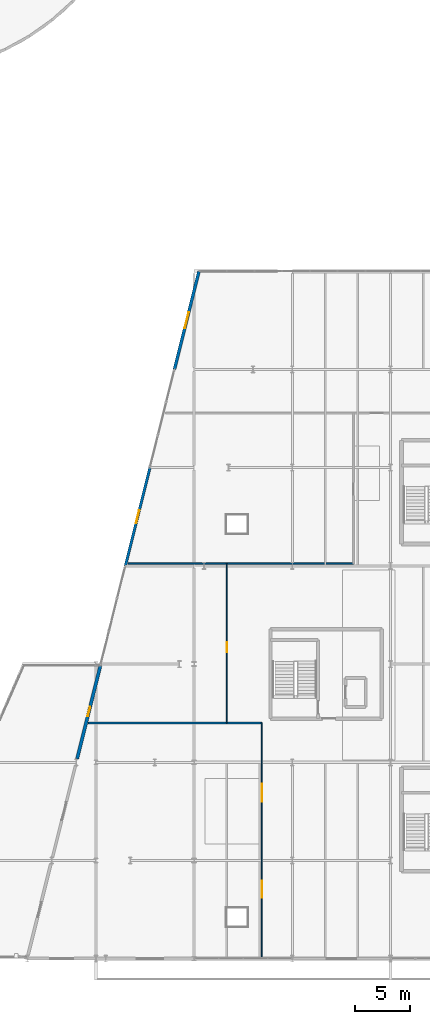
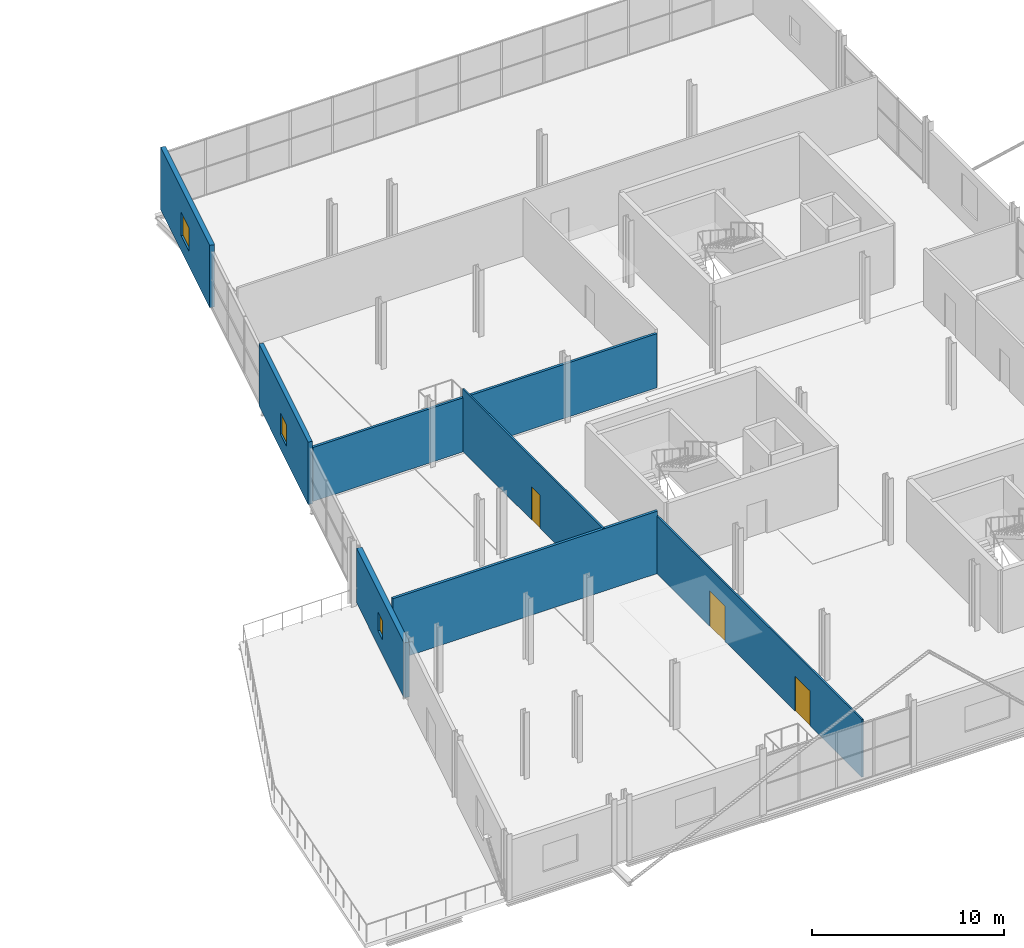
# One storey, part 53 of 59: 7 walls, 3 doors, 3 windows, 6 openings.
"""IFC4 building model written with IfcOpenShell, lengths in metres."""

from ifc_helpers import new_model, si_unit, direction, frame, frame_2d, origin, place, context, subcontext, project, spatial, rectangle, extrude, material, layer, layer_set, type_object, element, fill, save


model = new_model("IFC4")

# Units and contexts
model_context = context("Model", 3, precision=1e-05, world=origin(), true_north=direction((0.0, 1.0)))
body_context = subcontext(model_context, "Body", "Model", "MODEL_VIEW")
ifc_project = project(units=[si_unit("LENGTHUNIT", "METRE"), si_unit("AREAUNIT", "SQUARE_METRE"), si_unit("VOLUMEUNIT", "CUBIC_METRE"), si_unit("PLANEANGLEUNIT", "RADIAN"), si_unit("MASSUNIT", "GRAM", prefix="KILO")], contexts=[model_context])

# Site, building, storey
site_placement = place(None, origin())
site = spatial("IfcSite", under=ifc_project, at=site_placement, CompositionType="ELEMENT")
building_placement = place(site_placement, origin())
building = spatial("IfcBuilding", under=site, at=building_placement, Name="Deido Ridge Mobility Hub", CompositionType="ELEMENT")
storey_placement = place(building_placement, frame((0.0, 0.0, 21.0)))
storey = spatial("IfcBuildingStorey", under=building, at=storey_placement, Name="L05", CompositionType="ELEMENT", Elevation=21.0)

# Wall, opening, window
ifc_material_1 = material(Name="Concrete blockwork masonry", Category="masonry")
ifc_layer_1 = layer(ifc_material_1, 0.2451171875, Name="Concrete blockwork masonry")
ifc_layer_set_1 = layer_set([ifc_layer_1], Name="Concrete blockwork masonry")
wall_type_1 = type_object("IfcWallType", Name="WL-EXT-BLK-245", PredefinedType="STANDARD", material=ifc_layer_set_1)
wall_1_placement = place(storey_placement, frame((137.699951171875, 36.0, 0.0), z_axis=(0.0, 0.0, 1.0), x_axis=(0.242535625036, 0.970142500145, 0.0)))
wall_1 = element("IfcWall", 1, at=wall_1_placement, inside=storey, type_object=wall_type_1, Name="Exterior wall EW4", PredefinedType="STANDARD", context=body_context, shape_type="SweptSolid", body=[
    extrude(rectangle(XDim=9.277099609375, YDim=0.2451171875, at=frame_2d((4.638671875, 0.0))), origin(), (0.0, 0.0, 1.0), 3.9599609375),
])
opening_1_placement = place(wall_1_placement, frame((4.03857421875, 0.0, 0.949951171875)))
opening_1 = element("IfcOpeningElement", 2, at=opening_1_placement, cuts=wall_1, Name="Opening W3", PredefinedType="OPENING", context=body_context, shape_type="SweptSolid", body=[
    extrude(rectangle(XDim=1.199951171875, YDim=1.35009765625, at=frame_2d((0.60009765625, 0.675048828125))), frame((0.0, 0.132568359375, 0.0), z_axis=(0.0, -1.0, 0.0), x_axis=(1.0, 0.0, 0.0)), (0.0, 0.0, 1.0), 0.26513671875),
])
ifc_material_2 = material(Name="Laminated solar-control low-E glass", Category="glass")
window_type_1 = type_object("IfcWindowType", Name="WN-ALU-1200X1350", PartitioningType="SINGLE_PANEL", PredefinedType="WINDOW", material=ifc_material_2)
window_1_placement = place(opening_1_placement, origin())
window_1 = element("IfcWindow", 3, at=window_1_placement, inside=storey, type_object=window_type_1, Name="Exterior window W3", OverallHeight=1.35009765625, OverallWidth=1.199951171875, PartitioningType="SINGLE_PANEL", PredefinedType="WINDOW", context=body_context, shape_type="SweptSolid", body=[
    extrude(rectangle(XDim=1.199951171875, YDim=1.35009765625, at=frame_2d((0.60009765625, 0.675048828125))), frame((0.0, 0.030029296875, 0.0), z_axis=(0.0, -1.0, 0.0), x_axis=(1.0, 0.0, 0.0)), (0.0, 0.0, 1.0), 0.06005859375),
])
fill(opening_1, window_1)

ifc_material_3 = material(Name="Fired clay brick masonry", Category="masonry")
ifc_layer_2 = layer(ifc_material_3, 0.294921875, Name="Fired clay brick masonry")
ifc_layer_set_2 = layer_set([ifc_layer_2], Name="Fired clay brick masonry")
wall_type_2 = type_object("IfcWallType", Name="WL-EXT-BRK-295", PredefinedType="STANDARD", material=ifc_layer_set_2)
wall_2_placement = place(storey_placement, frame((133.279296875, 18.317626953125, 0.0), z_axis=(0.0, 0.0, 1.0), x_axis=(0.242542043737, 0.970140895448, 0.0)))
wall_2 = element("IfcWall", 4, at=wall_2_placement, inside=storey, type_object=wall_type_2, Name="Exterior wall EW2", PredefinedType="STANDARD", context=body_context, shape_type="SweptSolid", body=[
    extrude(rectangle(XDim=8.94970703125, YDim=0.294921875, at=frame_2d((4.474853515625, 0.0))), origin(), (0.0, 0.0, 1.0), 3.485107421875),
])
opening_2_placement = place(wall_2_placement, frame((4.02490234375, 0.0, 0.949951171875)))
opening_2 = element("IfcOpeningElement", 5, at=opening_2_placement, cuts=wall_2, Name="Opening W1", PredefinedType="OPENING", context=body_context, shape_type="SweptSolid", body=[
    extrude(rectangle(XDim=0.89990234375, YDim=1.199951171875, at=frame_2d((0.449951171875, 0.60009765625))), frame((0.0, 0.157470703125, 0.0), z_axis=(0.0, -1.0, 0.0), x_axis=(1.0, 0.0, 0.0)), (0.0, 0.0, 1.0), 0.31494140625),
])
window_type_2 = type_object("IfcWindowType", Name="WN-ALU-900X1200", PartitioningType="SINGLE_PANEL", PredefinedType="WINDOW", material=ifc_material_2)
window_2_placement = place(opening_2_placement, origin())
window_2 = element("IfcWindow", 6, at=window_2_placement, inside=storey, type_object=window_type_2, Name="Exterior window W1", OverallHeight=1.199951171875, OverallWidth=0.89990234375, PartitioningType="SINGLE_PANEL", PredefinedType="WINDOW", context=body_context, shape_type="SweptSolid", body=[
    extrude(rectangle(XDim=0.89990234375, YDim=1.199951171875, at=frame_2d((0.449951171875, 0.60009765625))), frame((0.0, 0.030029296875, 0.0), z_axis=(0.0, -1.0, 0.0), x_axis=(1.0, 0.0, 0.0)), (0.0, 0.0, 1.0), 0.06005859375),
])
fill(opening_2, window_2)

# Wall, opening, door
ifc_material_4 = material(Name="Treated tropical hardwood timber D40", Category="wood")
ifc_layer_3 = layer(ifc_material_4, 0.10498046875, Name="Treated tropical hardwood timber D40")
ifc_layer_set_3 = layer_set([ifc_layer_3], Name="Treated tropical hardwood timber D40")
wall_type_3 = type_object("IfcWallType", Name="WL-MOV-ACO-105", PredefinedType="MOVABLE", material=ifc_layer_set_3)
wall_3_placement = place(storey_placement, frame((147.0, 21.60009765625, 0.0), z_axis=(0.0, 0.0, 1.0), x_axis=(0.0, 1.0, 0.0)))
wall_3 = element("IfcWall", 7, at=wall_3_placement, inside=storey, type_object=wall_type_3, Name="V6 central room wall (L05)", PredefinedType="MOVABLE", context=body_context, shape_type="SweptSolid", body=[
    extrude(rectangle(XDim=14.599853515625, YDim=0.10498046875, at=frame_2d((7.2998046875, 0.0))), origin(), (0.0, 0.0, 1.0), 3.9599609375),
])
opening_3_placement = place(wall_3_placement, frame((6.5, 0.0, 0.0)))
opening_3 = element("IfcOpeningElement", 8, at=opening_3_placement, cuts=wall_3, Name="Opening DR-L05-186", PredefinedType="OPENING", context=body_context, shape_type="SweptSolid", body=[
    extrude(rectangle(XDim=0.89990234375, YDim=2.10009765625, at=frame_2d((0.449951171875, 1.050048828125))), frame((0.0, 0.0625, 0.0), z_axis=(0.0, -1.0, 0.0), x_axis=(1.0, 0.0, 0.0)), (0.0, 0.0, 1.0), 0.125),
])
door_type_1 = type_object("IfcDoorType", Name="DR-INT-900X2100", OperationType="NOTDEFINED", PredefinedType="DOOR", material=ifc_material_4)
door_1_placement = place(opening_3_placement, origin())
door_1 = element("IfcDoor", 9, at=door_1_placement, inside=storey, type_object=door_type_1, Name="DR-I0186 V6 central room door (L05)", OperationType="SINGLE_SWING_RIGHT", OverallHeight=2.10009765625, OverallWidth=0.89990234375, PredefinedType="DOOR", context=body_context, shape_type="SweptSolid", body=[
    extrude(rectangle(XDim=0.89990234375, YDim=2.10009765625, at=frame_2d((0.449951171875, 1.050048828125))), frame((0.0, 0.02490234375, 0.0), z_axis=(0.0, -1.0, 0.0), x_axis=(1.0, 0.0, 0.0)), (0.0, 0.0, 1.0), 0.050048828125),
])
fill(opening_3, door_1)

# Wall, opening, window
ifc_layer_4 = layer(ifc_material_3, 0.27490234375, Name="Fired clay brick masonry")
ifc_layer_set_4 = layer_set([ifc_layer_4], Name="Fired clay brick masonry")
wall_type_4 = type_object("IfcWallType", Name="WL-PLG-BRK-275", PredefinedType="POLYGONAL", material=ifc_layer_set_4)
wall_4_placement = place(storey_placement, frame((142.199951171875, 54.0, 0.0), z_axis=(0.0, 0.0, 1.0), x_axis=(0.242535625036, 0.970142500145, 0.0)))
wall_4 = element("IfcWall", 10, at=wall_4_placement, inside=storey, type_object=wall_type_4, Name="Exterior wall PGW1", PredefinedType="POLYGONAL", context=body_context, shape_type="SweptSolid", body=[
    extrude(rectangle(XDim=9.277099609375, YDim=0.27490234375, at=frame_2d((4.638671875, 0.0))), origin(), (0.0, 0.0, 1.0), 3.9599609375),
])
opening_4_placement = place(wall_4_placement, frame((3.888427734375, 0.0, 0.949951171875)))
opening_4 = element("IfcOpeningElement", 11, at=opening_4_placement, cuts=wall_4, Name="Opening W5", PredefinedType="OPENING", context=body_context, shape_type="SweptSolid", body=[
    extrude(rectangle(XDim=1.5, YDim=1.5, at=frame_2d((0.75, 0.75))), frame((0.0, 0.1474609375, 0.0), z_axis=(0.0, -1.0, 0.0), x_axis=(1.0, 0.0, 0.0)), (0.0, 0.0, 1.0), 0.294921875),
])
window_type_3 = type_object("IfcWindowType", Name="WN-ALU-1500X1500", PartitioningType="SINGLE_PANEL", PredefinedType="WINDOW", material=ifc_material_2)
window_3_placement = place(opening_4_placement, origin())
window_3 = element("IfcWindow", 12, at=window_3_placement, inside=storey, type_object=window_type_3, Name="Exterior window W5", OverallHeight=1.5, OverallWidth=1.5, PartitioningType="SINGLE_PANEL", PredefinedType="WINDOW", context=body_context, shape_type="SweptSolid", body=[
    extrude(rectangle(XDim=1.5, YDim=1.5, at=frame_2d((0.75, 0.75))), frame((0.0, 0.030029296875, 0.0), z_axis=(0.0, -1.0, 0.0), x_axis=(1.0, 0.0, 0.0)), (0.0, 0.0, 1.0), 0.06005859375),
])
fill(opening_4, window_3)

# Wall, openings, doors
ifc_layer_5 = layer(ifc_material_1, 0.10009765625, Name="Concrete blockwork masonry")
ifc_layer_set_5 = layer_set([ifc_layer_5], Name="Concrete blockwork masonry")
wall_type_5 = type_object("IfcWallType", Name="WL-PRT-BLK-100", PredefinedType="PARTITIONING", material=ifc_layer_set_5)
wall_5_placement = place(storey_placement, frame((150.199951171875, 0.199951171875, 0.0), z_axis=(0.0, 0.0, 1.0), x_axis=(0.0, 1.0, 0.0)))
wall_5 = element("IfcWall", 13, at=wall_5_placement, inside=storey, type_object=wall_type_5, Name="V6 south-west suite wall (L05)", PredefinedType="PARTITIONING", context=body_context, shape_type="SweptSolid", body=[
    extrude(rectangle(XDim=21.400146484375, YDim=0.10009765625, at=frame_2d((10.7001953125, 0.0))), origin(), (0.0, 0.0, 1.0), 3.6650390625),
])
opening_5_placement = place(wall_5_placement, frame((5.39990234375, 0.0, 0.0)))
opening_5 = element("IfcOpeningElement", 14, at=opening_5_placement, cuts=wall_5, Name="Opening DR-L05-184", PredefinedType="OPENING", context=body_context, shape_type="SweptSolid", body=[
    extrude(rectangle(XDim=1.550048828125, YDim=2.219970703125, at=frame_2d((0.77490234375, 1.10986328125))), frame((0.0, 0.06005859375, 0.0), z_axis=(0.0, -1.0, 0.0), x_axis=(1.0, 0.0, 0.0)), (0.0, 0.0, 1.0), 0.1201171875),
])
opening_6_placement = place(wall_5_placement, frame((14.199951171875, 0.0, 0.0)))
opening_6 = element("IfcOpeningElement", 15, at=opening_6_placement, cuts=wall_5, Name="Opening DR-L05-185", PredefinedType="OPENING", context=body_context, shape_type="SweptSolid", body=[
    extrude(rectangle(XDim=1.64990234375, YDim=2.25, at=frame_2d((0.824951171875, 1.125))), frame((0.0, 0.06005859375, 0.0), z_axis=(0.0, -1.0, 0.0), x_axis=(1.0, 0.0, 0.0)), (0.0, 0.0, 1.0), 0.1201171875),
])
door_type_2 = type_object("IfcDoorType", Name="DR-INT-1550X2220", OperationType="DOUBLE_DOOR_SINGLE_SWING", PredefinedType="DOOR", material=ifc_material_4)
door_2_placement = place(opening_5_placement, origin())
door_2 = element("IfcDoor", 16, at=door_2_placement, inside=storey, type_object=door_type_2, Name="DR-I0184 V6 south-west suite door 1 (L05)", OperationType="DOUBLE_DOOR_SINGLE_SWING", OverallHeight=2.219970703125, OverallWidth=1.550048828125, PredefinedType="DOOR", context=body_context, shape_type="SweptSolid", body=[
    extrude(rectangle(XDim=1.550048828125, YDim=2.219970703125, at=frame_2d((0.77490234375, 1.10986328125))), frame((0.0, 0.02490234375, 0.0), z_axis=(0.0, -1.0, 0.0), x_axis=(1.0, 0.0, 0.0)), (0.0, 0.0, 1.0), 0.050048828125),
])
fill(opening_5, door_2)
door_type_3 = type_object("IfcDoorType", Name="DR-INT-1650X2250", OperationType="DOUBLE_DOOR_SINGLE_SWING", PredefinedType="DOOR", material=ifc_material_4)
door_3_placement = place(opening_6_placement, origin())
door_3 = element("IfcDoor", 17, at=door_3_placement, inside=storey, type_object=door_type_3, Name="DR-I0185 V6 south-west suite door 2 (L05)", OperationType="DOUBLE_DOOR_SINGLE_SWING", OverallHeight=2.25, OverallWidth=1.64990234375, PredefinedType="DOOR", context=body_context, shape_type="SweptSolid", body=[
    extrude(rectangle(XDim=1.64990234375, YDim=2.25, at=frame_2d((0.824951171875, 1.125))), frame((0.0, 0.02490234375, 0.0), z_axis=(0.0, -1.0, 0.0), x_axis=(1.0, 0.0, 0.0)), (0.0, 0.0, 1.0), 0.050048828125),
])
fill(opening_6, door_3)

# Walls
ifc_layer_6 = layer(ifc_material_1, 0.14990234375, Name="Concrete blockwork masonry")
ifc_layer_set_6 = layer_set([ifc_layer_6], Name="Concrete blockwork masonry")
wall_type_6 = type_object("IfcWallType", Name="WL-PRT-BLK-150", PredefinedType="PARTITIONING", material=ifc_layer_set_6)
wall_6_placement = place(storey_placement, frame((137.949951171875, 36.199951171875, 0.0), z_axis=(0.0, 0.0, 1.0), x_axis=(1.0, 0.0, 0.0)))
element("IfcWall", 18, at=wall_6_placement, inside=storey, type_object=wall_type_6, Name="V6 central-north cross wall (L05)", PredefinedType="PARTITIONING", context=body_context, shape_type="SweptSolid", body=[
    extrude(rectangle(XDim=20.650146484375, YDim=0.14990234375, at=frame_2d((10.3251953125, 0.0))), origin(), (0.0, 0.0, 1.0), 3.43505859375),
])
ifc_layer_7 = layer(ifc_material_1, 0.159912109375, Name="Concrete blockwork masonry")
ifc_layer_set_7 = layer_set([ifc_layer_7], Name="Concrete blockwork masonry")
wall_type_7 = type_object("IfcWallType", Name="WL-PRT-BLK-160", PredefinedType="PARTITIONING", material=ifc_layer_set_7)
wall_7_placement = place(storey_placement, frame((134.300048828125, 21.60009765625, 0.0), z_axis=(0.0, 0.0, 1.0), x_axis=(1.0, 0.0, 0.0)))
element("IfcWall", 19, at=wall_7_placement, inside=storey, type_object=wall_type_7, Name="V6 south-central cross wall (L05)", PredefinedType="PARTITIONING", context=body_context, shape_type="SweptSolid", body=[
    extrude(rectangle(XDim=15.89990234375, YDim=0.159912109375, at=frame_2d((7.949951171875, 0.0))), origin(), (0.0, 0.0, 1.0), 3.9599609375),
])

save(model, "model.ifc")
